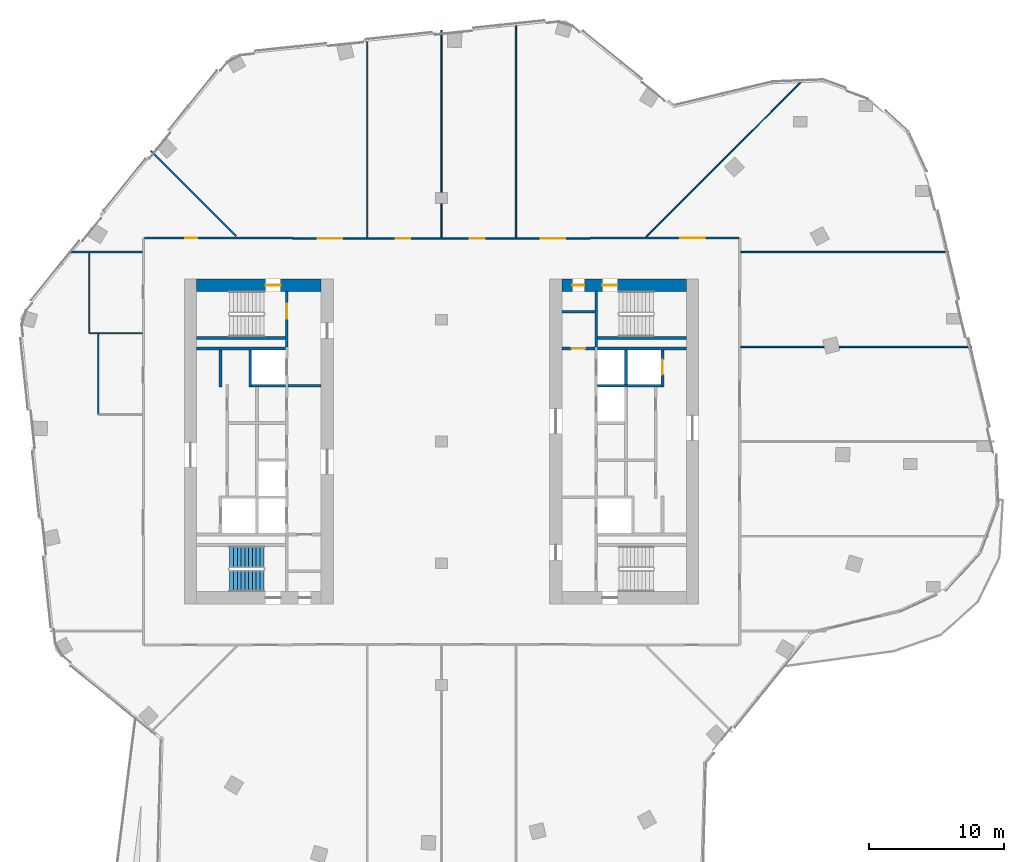
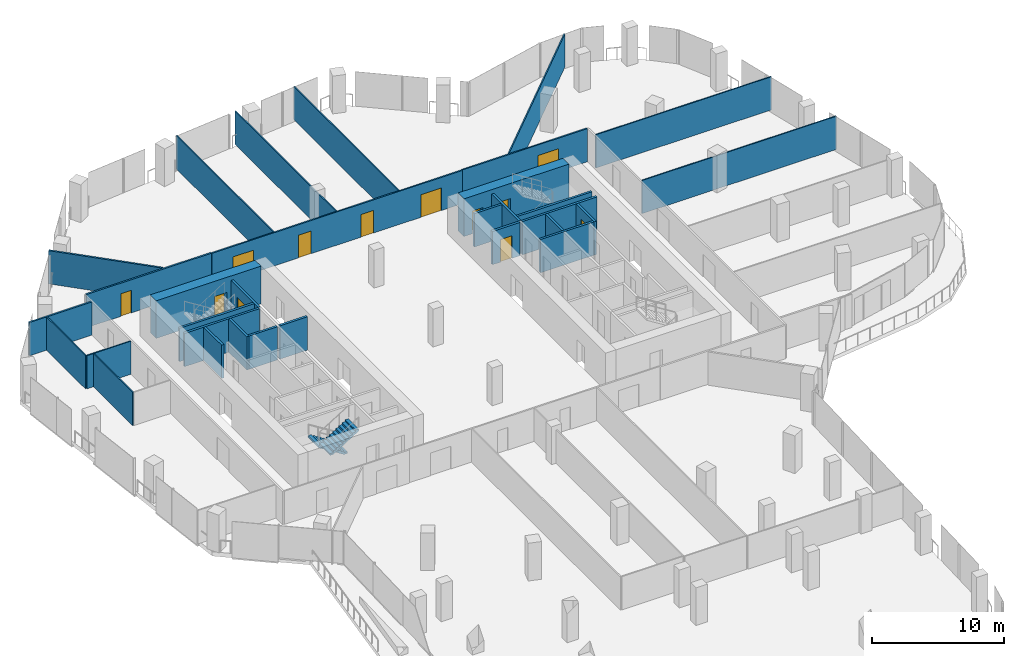
# One storey, part 19 of 24: 31 walls, 12 doors, 2 stair flights, 12 openings, 1 element without a shape of its own.
"""IFC4 building model written with IfcOpenShell, lengths in metres."""

from ifc_helpers import new_model, si_unit, direction, frame, frame_2d, origin, place, context, subcontext, project, spatial, polyline, rectangle, outline, extrude, material, layer, layer_set, type_object, element, fill, aggregate, save


model = new_model("IFC4")

# Units and contexts
model_context = context("Model", 3, precision=1e-05, world=origin(), true_north=direction((0.0, 1.0)))
body_context = subcontext(model_context, "Body", "Model", "MODEL_VIEW")
ifc_project = project(units=[si_unit("LENGTHUNIT", "METRE"), si_unit("AREAUNIT", "SQUARE_METRE"), si_unit("VOLUMEUNIT", "CUBIC_METRE"), si_unit("PLANEANGLEUNIT", "RADIAN"), si_unit("MASSUNIT", "GRAM", prefix="KILO")], contexts=[model_context])

# Site, building, storey
site_placement = place(None, origin())
site = spatial("IfcSite", under=ifc_project, at=site_placement, CompositionType="ELEMENT")
building_placement = place(site_placement, origin())
building = spatial("IfcBuilding", under=site, at=building_placement, Name="Orlundy Tower", CompositionType="ELEMENT")
storey_placement = place(building_placement, frame((0.0, 0.0, 210.5)))
storey = spatial("IfcBuildingStorey", under=building, at=storey_placement, Name="L55", CompositionType="ELEMENT", Elevation=210.5)

# Wall, opening, door
ifc_material_1 = material(Name="Concrete C60/75", Category="concrete")
ifc_layer_1 = layer(ifc_material_1, 0.89990234375)
ifc_layer_set_1 = layer_set([ifc_layer_1], Name="CORE WALL 900 C60/75")
wall_type_1 = type_object("IfcWallType", Name="CORE WALL 900 C60/75", PredefinedType="SHEAR", material=ifc_layer_set_1)
wall_1_placement = place(storey_placement, frame((-18.10009765625, 11.550048828125, 0.0), z_axis=(0.0, 0.0, 1.0), x_axis=(1.0, 0.0, 0.0)))
wall_1 = element("IfcWall", 1, at=wall_1_placement, inside=storey, type_object=wall_type_1, Name="Core wall W-N L55", PredefinedType="SHEAR", context=body_context, shape_type="SweptSolid", body=[
    extrude(rectangle(XDim=9.2001953125, YDim=0.89990234375, at=frame_2d((4.60009765625, 0.0))), origin(), (0.0, 0.0, 1.0), 3.5),
])
opening_1_placement = place(wall_1_placement, frame((5.10009765625, 0.0, 0.0)))
opening_1 = element("IfcOpeningElement", 2, at=opening_1_placement, cuts=wall_1, Name="Opening 42012", PredefinedType="OPENING", context=body_context, shape_type="SweptSolid", body=[
    extrude(rectangle(XDim=1.10009765625, YDim=2.10009765625, at=frame_2d((0.550048828125, 1.050048828125))), frame((0.0, 0.4599609375, 0.0), z_axis=(0.0, -1.0, 0.0), x_axis=(1.0, 0.0, 0.0)), (0.0, 0.0, 1.0), 0.919921875),
])
ifc_material_2 = material(Name="Steel door set", Category="steel")
door_type_1 = type_object("IfcDoorType", Name="Stair Door 1100x2100", OperationType="SINGLE_SWING_LEFT", PredefinedType="DOOR", material=ifc_material_2)
door_1_placement = place(opening_1_placement, origin())
door_1 = element("IfcDoor", 3, at=door_1_placement, inside=storey, type_object=door_type_1, Name="Stair door 42012", OperationType="SINGLE_SWING_RIGHT", OverallHeight=2.10009765625, OverallWidth=1.10009765625, PredefinedType="DOOR", context=body_context, shape_type="SweptSolid", body=[
    extrude(rectangle(XDim=1.10009765625, YDim=2.10009765625, at=frame_2d((0.550048828125, 1.050048828125))), frame((0.0, 0.02490234375, 0.0), z_axis=(0.0, -1.0, 0.0), x_axis=(1.0, 0.0, 0.0)), (0.0, 0.0, 1.0), 0.050048828125),
])
fill(opening_1, door_1)

# Wall, openings, doors
wall_2_placement = place(storey_placement, frame((8.89990234375, 11.550048828125, 0.0), z_axis=(0.0, 0.0, 1.0), x_axis=(1.0, 0.0, 0.0)))
wall_2 = element("IfcWall", 4, at=wall_2_placement, inside=storey, type_object=wall_type_1, Name="Core wall E-N L55", PredefinedType="SHEAR", context=body_context, shape_type="SweptSolid", body=[
    extrude(rectangle(XDim=9.2001953125, YDim=0.89990234375, at=frame_2d((4.60009765625, 0.0))), origin(), (0.0, 0.0, 1.0), 3.5),
])
opening_2_placement = place(wall_2_placement, frame((3.0, 0.0, 0.0)))
opening_2 = element("IfcOpeningElement", 5, at=opening_2_placement, cuts=wall_2, Name="Opening 42062", PredefinedType="OPENING", context=body_context, shape_type="SweptSolid", body=[
    extrude(rectangle(XDim=1.10009765625, YDim=2.10009765625, at=frame_2d((0.550048828125, 1.050048828125))), frame((0.0, 0.4599609375, 0.0), z_axis=(0.0, -1.0, 0.0), x_axis=(1.0, 0.0, 0.0)), (0.0, 0.0, 1.0), 0.919921875),
])
opening_3_placement = place(wall_2_placement, frame((0.77001953125, 0.0, 0.0)))
opening_3 = element("IfcOpeningElement", 6, at=opening_3_placement, cuts=wall_2, Name="Opening 42064", PredefinedType="OPENING", context=body_context, shape_type="SweptSolid", body=[
    extrude(rectangle(XDim=0.89990234375, YDim=2.10009765625, at=frame_2d((0.449951171875, 1.050048828125))), frame((0.0, 0.4599609375, 0.0), z_axis=(0.0, -1.0, 0.0), x_axis=(1.0, 0.0, 0.0)), (0.0, 0.0, 1.0), 0.919921875),
])
ifc_material_3 = material(Name="Timber door set", Category="wood")
door_type_2 = type_object("IfcDoorType", Name="Room Door 900x2100", OperationType="SINGLE_SWING_LEFT", PredefinedType="DOOR", material=ifc_material_3)
door_2_placement = place(opening_3_placement, origin())
door_2 = element("IfcDoor", 7, at=door_2_placement, inside=storey, type_object=door_type_2, Name="Store door 42064", OperationType="SINGLE_SWING_LEFT", OverallHeight=2.10009765625, OverallWidth=0.89990234375, PredefinedType="DOOR", context=body_context, shape_type="SweptSolid", body=[
    extrude(rectangle(XDim=0.89990234375, YDim=2.10009765625, at=frame_2d((0.449951171875, 1.050048828125))), frame((0.0, 0.02490234375, 0.0), z_axis=(0.0, -1.0, 0.0), x_axis=(1.0, 0.0, 0.0)), (0.0, 0.0, 1.0), 0.050048828125),
])
fill(opening_3, door_2)
door_3_placement = place(opening_2_placement, origin())
door_3 = element("IfcDoor", 8, at=door_3_placement, inside=storey, type_object=door_type_1, Name="Stair door 42062", OperationType="SINGLE_SWING_LEFT", OverallHeight=2.10009765625, OverallWidth=1.10009765625, PredefinedType="DOOR", context=body_context, shape_type="SweptSolid", body=[
    extrude(rectangle(XDim=1.10009765625, YDim=2.10009765625, at=frame_2d((0.550048828125, 1.050048828125))), frame((0.0, 0.02490234375, 0.0), z_axis=(0.0, -1.0, 0.0), x_axis=(1.0, 0.0, 0.0)), (0.0, 0.0, 1.0), 0.050048828125),
])
fill(opening_2, door_3)

# Walls
ifc_material_4 = material(Name="Gypsum board partition")
ifc_layer_2 = layer(ifc_material_4, 0.10009765625)
ifc_layer_set_2 = layer_set([ifc_layer_2], Name="Floor partition 100")
wall_type_2 = type_object("IfcWallType", Name="Floor partition 100", PredefinedType="PARTITIONING", material=ifc_layer_set_2)
wall_3_placement = place(storey_placement, frame((22.1259765625, 7.0, 0.0), z_axis=(0.0, 0.0, 1.0), x_axis=(1.0, 0.0, 0.0)))
element("IfcWall", 9, at=wall_3_placement, inside=storey, type_object=wall_type_2, Name="wall-int-L55-014", PredefinedType="PARTITIONING", context=body_context, shape_type="SweptSolid", body=[
    extrude(rectangle(XDim=17.072998046875, YDim=0.10009765625, at=frame_2d((8.53662109375, 0.0))), origin(), (0.0, 0.0, 1.0), 3.080078125),
])
wall_4_placement = place(storey_placement, frame((-25.998046875, 8.0, 0.0), z_axis=(0.0, 0.0, 1.0), x_axis=(1.0, 0.0, 0.0)))
element("IfcWall", 10, at=wall_4_placement, inside=storey, type_object=wall_type_2, Name="wall-int-L55-015", PredefinedType="PARTITIONING", context=body_context, shape_type="SweptSolid", body=[
    extrude(rectangle(XDim=3.873046875, YDim=0.10009765625, at=frame_2d((1.9365234375, 0.0))), origin(), (0.0, 0.0, 1.0), 3.080078125),
])
wall_5_placement = place(storey_placement, frame((22.1259765625, 14.0, 0.0), z_axis=(0.0, 0.0, 1.0), x_axis=(1.0, 0.0, 0.0)))
element("IfcWall", 11, at=wall_5_placement, inside=storey, type_object=wall_type_2, Name="wall-int-L55-017", PredefinedType="PARTITIONING", context=body_context, shape_type="SweptSolid", body=[
    extrude(rectangle(XDim=15.39208984375, YDim=0.10009765625, at=frame_2d((7.696044921875, 0.0))), origin(), (0.0, 0.0, 1.0), 3.080078125),
])
wall_6_placement = place(storey_placement, frame((15.14892578125, 15.14892578125, 0.0), z_axis=(0.0, 0.0, 1.0), x_axis=(0.707106781187, 0.707106781187, 0.0)))
element("IfcWall", 12, at=wall_6_placement, inside=storey, type_object=wall_type_2, Name="wall-int-L55-022", PredefinedType="PARTITIONING", context=body_context, shape_type="SweptSolid", body=[
    extrude(rectangle(XDim=16.46435546875, YDim=0.10009765625, at=frame_2d((8.232177734375, 0.0))), origin(), (0.0, 0.0, 1.0), 3.080078125),
])
wall_7_placement = place(storey_placement, frame((5.4951171875, 15.06298828125, 0.0), z_axis=(0.0, 0.0, 1.0), x_axis=(0.0, 1.0, 0.0)))
element("IfcWall", 13, at=wall_7_placement, inside=storey, type_object=wall_type_2, Name="wall-int-L55-025", PredefinedType="PARTITIONING", context=body_context, shape_type="SweptSolid", body=[
    extrude(rectangle(XDim=15.930908203125, YDim=0.10009765625, at=frame_2d((7.96533203125, 0.0))), origin(), (0.0, 0.0, 1.0), 3.080078125),
])
wall_8_placement = place(storey_placement, frame((0.0, 15.06298828125, 0.0), z_axis=(0.0, 0.0, 1.0), x_axis=(0.0, 1.0, 0.0)))
element("IfcWall", 14, at=wall_8_placement, inside=storey, type_object=wall_type_2, Name="wall-int-L55-027", PredefinedType="PARTITIONING", context=body_context, shape_type="SweptSolid", body=[
    extrude(rectangle(XDim=15.35400390625, YDim=0.10009765625, at=frame_2d((7.677001953125, 0.0))), origin(), (0.0, 0.0, 1.0), 3.080078125),
])
wall_9_placement = place(storey_placement, frame((-5.4951171875, 15.06298828125, 0.0), z_axis=(0.0, 0.0, 1.0), x_axis=(0.0, 1.0, 0.0)))
element("IfcWall", 15, at=wall_9_placement, inside=storey, type_object=wall_type_2, Name="wall-int-L55-029", PredefinedType="PARTITIONING", context=body_context, shape_type="SweptSolid", body=[
    extrude(rectangle(XDim=14.776123046875, YDim=0.10009765625, at=frame_2d((7.38818359375, 0.0))), origin(), (0.0, 0.0, 1.0), 3.080078125),
])
wall_10_placement = place(storey_placement, frame((-25.382080078125, 2.0009765625, 0.0), z_axis=(0.0, 0.0, 1.0), x_axis=(0.0, 1.0, 0.0)))
element("IfcWall", 16, at=wall_10_placement, inside=storey, type_object=wall_type_2, Name="wall-int-L55-031", PredefinedType="PARTITIONING", context=body_context, shape_type="SweptSolid", body=[
    extrude(rectangle(XDim=5.948974609375, YDim=0.10009765625, at=frame_2d((2.974609375, 0.0))), origin(), (0.0, 0.0, 1.0), 3.080078125),
])
wall_11_placement = place(storey_placement, frame((-26.048095703125, 8.0, 0.0), z_axis=(0.0, 0.0, 1.0), x_axis=(0.0, 1.0, 0.0)))
element("IfcWall", 17, at=wall_11_placement, inside=storey, type_object=wall_type_2, Name="wall-int-L55-032", PredefinedType="PARTITIONING", context=body_context, shape_type="SweptSolid", body=[
    extrude(rectangle(XDim=5.925048828125, YDim=0.10009765625, at=frame_2d((2.96240234375, 0.0))), origin(), (0.0, 0.0, 1.0), 3.080078125),
])

# Wall, openings, doors
ifc_material_5 = material(Name="Gypsum board partition, double layer")
ifc_layer_3 = layer(ifc_material_5, 0.125)
ifc_layer_set_3 = layer_set([ifc_layer_3], Name="Floor partition 125")
wall_type_3 = type_object("IfcWallType", Name="Floor partition 125", PredefinedType="PARTITIONING", material=ifc_layer_set_3)
wall_12_placement = place(storey_placement, frame((-10.989990234375, 15.0009765625, 0.0), z_axis=(0.0, 0.0, 1.0), x_axis=(1.0, 0.0, 0.0)))
wall_12 = element("IfcWall", 18, at=wall_12_placement, inside=storey, type_object=wall_type_3, Name="wall-int-L55-018", PredefinedType="PARTITIONING", context=body_context, shape_type="SweptSolid", body=[
    extrude(rectangle(XDim=21.97998046875, YDim=0.125, at=frame_2d((10.989990234375, 0.0))), origin(), (0.0, 0.0, 1.0), 3.080078125),
])
opening_4_placement = place(wall_12_placement, frame((18.3349609375, 0.0, 0.0)))
opening_4 = element("IfcOpeningElement", 19, at=opening_4_placement, cuts=wall_12, Name="Opening 42113", PredefinedType="OPENING", context=body_context, shape_type="SweptSolid", body=[
    extrude(rectangle(XDim=1.800048828125, YDim=2.10009765625, at=frame_2d((0.89990234375, 1.050048828125))), frame((0.0, 0.072509765625, 0.0), z_axis=(0.0, -1.0, 0.0), x_axis=(1.0, 0.0, 0.0)), (0.0, 0.0, 1.0), 0.14501953125),
])
opening_5_placement = place(wall_12_placement, frame((13.090087890625, 0.0, 0.0)))
opening_5 = element("IfcOpeningElement", 20, at=opening_5_placement, cuts=wall_12, Name="Opening 42114", PredefinedType="OPENING", context=body_context, shape_type="SweptSolid", body=[
    extrude(rectangle(XDim=1.10009765625, YDim=2.10009765625, at=frame_2d((0.550048828125, 1.050048828125))), frame((0.0, 0.072509765625, 0.0), z_axis=(0.0, -1.0, 0.0), x_axis=(1.0, 0.0, 0.0)), (0.0, 0.0, 1.0), 0.14501953125),
])
opening_6_placement = place(wall_12_placement, frame((7.594970703125, 0.0, 0.0)))
opening_6 = element("IfcOpeningElement", 21, at=opening_6_placement, cuts=wall_12, Name="Opening 42115", PredefinedType="OPENING", context=body_context, shape_type="SweptSolid", body=[
    extrude(rectangle(XDim=1.10009765625, YDim=2.10009765625, at=frame_2d((0.550048828125, 1.050048828125))), frame((0.0, 0.072509765625, 0.0), z_axis=(0.0, -1.0, 0.0), x_axis=(1.0, 0.0, 0.0)), (0.0, 0.0, 1.0), 0.14501953125),
])
opening_7_placement = place(wall_12_placement, frame((1.85009765625, 0.0, 0.0)))
opening_7 = element("IfcOpeningElement", 22, at=opening_7_placement, cuts=wall_12, Name="Opening 42116", PredefinedType="OPENING", context=body_context, shape_type="SweptSolid", body=[
    extrude(rectangle(XDim=1.800048828125, YDim=2.10009765625, at=frame_2d((0.89990234375, 1.050048828125))), frame((0.0, 0.072509765625, 0.0), z_axis=(0.0, -1.0, 0.0), x_axis=(1.0, 0.0, 0.0)), (0.0, 0.0, 1.0), 0.14501953125),
])
ifc_material_6 = material(Name="Timber door leaf", Category="wood")
door_type_3 = type_object("IfcDoorType", Name="Floor door double 1800 FD30S", OperationType="NOTDEFINED", PredefinedType="DOOR", material=ifc_material_6)
door_4_placement = place(opening_4_placement, origin())
door_4 = element("IfcDoor", 23, at=door_4_placement, inside=storey, type_object=door_type_3, Name="Door 42113", OperationType="DOUBLE_DOOR_SINGLE_SWING", OverallHeight=2.10009765625, OverallWidth=1.800048828125, PredefinedType="DOOR", context=body_context, shape_type="SweptSolid", body=[
    extrude(rectangle(XDim=1.800048828125, YDim=2.10009765625, at=frame_2d((0.89990234375, 1.050048828125))), frame((0.0, 0.02490234375, 0.0), z_axis=(0.0, -1.0, 0.0), x_axis=(1.0, 0.0, 0.0)), (0.0, 0.0, 1.0), 0.050048828125),
])
fill(opening_4, door_4)
door_5_placement = place(opening_7_placement, origin())
door_5 = element("IfcDoor", 24, at=door_5_placement, inside=storey, type_object=door_type_3, Name="Door 42116", OperationType="DOUBLE_DOOR_SINGLE_SWING", OverallHeight=2.10009765625, OverallWidth=1.800048828125, PredefinedType="DOOR", context=body_context, shape_type="SweptSolid", body=[
    extrude(rectangle(XDim=1.800048828125, YDim=2.10009765625, at=frame_2d((0.89990234375, 1.050048828125))), frame((0.0, 0.02490234375, 0.0), z_axis=(0.0, -1.0, 0.0), x_axis=(1.0, 0.0, 0.0)), (0.0, 0.0, 1.0), 0.050048828125),
])
fill(opening_7, door_5)
ifc_material_7 = material(Name="Timber door leaf", Category="wood")
door_type_4 = type_object("IfcDoorType", Name="Floor door xwide 1100 FD30S", OperationType="NOTDEFINED", PredefinedType="DOOR", material=ifc_material_7)
door_6_placement = place(opening_5_placement, origin())
door_6 = element("IfcDoor", 25, at=door_6_placement, inside=storey, type_object=door_type_4, Name="Door 42114", OperationType="SINGLE_SWING_RIGHT", OverallHeight=2.10009765625, OverallWidth=1.10009765625, PredefinedType="DOOR", context=body_context, shape_type="SweptSolid", body=[
    extrude(rectangle(XDim=1.10009765625, YDim=2.10009765625, at=frame_2d((0.550048828125, 1.050048828125))), frame((0.0, 0.02490234375, 0.0), z_axis=(0.0, -1.0, 0.0), x_axis=(1.0, 0.0, 0.0)), (0.0, 0.0, 1.0), 0.050048828125),
])
fill(opening_5, door_6)
door_7_placement = place(opening_6_placement, origin())
door_7 = element("IfcDoor", 26, at=door_7_placement, inside=storey, type_object=door_type_4, Name="Door 42115", OperationType="SINGLE_SWING_LEFT", OverallHeight=2.10009765625, OverallWidth=1.10009765625, PredefinedType="DOOR", context=body_context, shape_type="SweptSolid", body=[
    extrude(rectangle(XDim=1.10009765625, YDim=2.10009765625, at=frame_2d((0.550048828125, 1.050048828125))), frame((0.0, 0.02490234375, 0.0), z_axis=(0.0, -1.0, 0.0), x_axis=(1.0, 0.0, 0.0)), (0.0, 0.0, 1.0), 0.050048828125),
])
fill(opening_6, door_7)

# Wall, opening, door
wall_13_placement = place(storey_placement, frame((10.990966796875, 15.051025390625, 0.0), z_axis=(0.0, 0.0, 1.0), x_axis=(1.0, 0.0, 0.0)))
wall_13 = element("IfcWall", 27, at=wall_13_placement, inside=storey, type_object=wall_type_3, Name="wall-int-L55-020", PredefinedType="PARTITIONING", context=body_context, shape_type="SweptSolid", body=[
    extrude(rectangle(XDim=10.984130859375, YDim=0.125, at=frame_2d((5.4921875, 0.0))), origin(), (0.0, 0.0, 1.0), 3.080078125),
])
opening_8_placement = place(wall_13_placement, frame((6.659912109375, 0.0, 0.0)))
opening_8 = element("IfcOpeningElement", 28, at=opening_8_placement, cuts=wall_13, Name="Opening 42112", PredefinedType="OPENING", context=body_context, shape_type="SweptSolid", body=[
    extrude(rectangle(XDim=1.800048828125, YDim=2.10009765625, at=frame_2d((0.89990234375, 1.050048828125))), frame((0.0, 0.072509765625, 0.0), z_axis=(0.0, -1.0, 0.0), x_axis=(1.0, 0.0, 0.0)), (0.0, 0.0, 1.0), 0.14501953125),
])
door_8_placement = place(opening_8_placement, origin())
door_8 = element("IfcDoor", 29, at=door_8_placement, inside=storey, type_object=door_type_3, Name="Door 42112", OperationType="DOUBLE_DOOR_SINGLE_SWING", OverallHeight=2.10009765625, OverallWidth=1.800048828125, PredefinedType="DOOR", context=body_context, shape_type="SweptSolid", body=[
    extrude(rectangle(XDim=1.800048828125, YDim=2.10009765625, at=frame_2d((0.89990234375, 1.050048828125))), frame((0.0, 0.02490234375, 0.0), z_axis=(0.0, -1.0, 0.0), x_axis=(1.0, 0.0, 0.0)), (0.0, 0.0, 1.0), 0.050048828125),
])
fill(opening_8, door_8)

# Walls
ifc_material_8 = material(Name="Blockwork shaft wall", Category="masonry")
ifc_layer_4 = layer(ifc_material_8, 0.14990234375)
ifc_layer_set_4 = layer_set([ifc_layer_4], Name="Floor shaft wall 150")
wall_type_4 = type_object("IfcWallType", Name="Floor shaft wall 150", PredefinedType="PARTITIONING", material=ifc_layer_set_4)
wall_14_placement = place(storey_placement, frame((-21.508056640625, 21.508056640625, 0.0), z_axis=(0.0, 0.0, 1.0), x_axis=(0.707106781187, -0.707106781187, 0.0)))
element("IfcWall", 30, at=wall_14_placement, inside=storey, type_object=wall_type_4, Name="wall-int-L55-001", PredefinedType="PARTITIONING", context=body_context, shape_type="SweptSolid", body=[
    extrude(rectangle(XDim=8.95068359375, YDim=0.14990234375, at=frame_2d((4.475341796875, 0.0))), origin(), (0.0, 0.0, 1.0), 3.080078125),
])
wall_15_placement = place(storey_placement, frame((-27.5869140625, 14.0, 0.0), z_axis=(0.0, 0.0, 1.0), x_axis=(1.0, 0.0, 0.0)))
element("IfcWall", 31, at=wall_15_placement, inside=storey, type_object=wall_type_4, Name="wall-int-L55-016", PredefinedType="PARTITIONING", context=body_context, shape_type="SweptSolid", body=[
    extrude(rectangle(XDim=5.4619140625, YDim=0.14990234375, at=frame_2d((2.73095703125, 0.0))), origin(), (0.0, 0.0, 1.0), 3.080078125),
])

# Wall, opening, door
wall_16_placement = place(storey_placement, frame((-21.97509765625, 15.051025390625, 0.0), z_axis=(0.0, 0.0, 1.0), x_axis=(1.0, 0.0, 0.0)))
wall_16 = element("IfcWall", 32, at=wall_16_placement, inside=storey, type_object=wall_type_4, Name="wall-int-L55-019", PredefinedType="PARTITIONING", context=body_context, shape_type="SweptSolid", body=[
    extrude(rectangle(XDim=10.984130859375, YDim=0.14990234375, at=frame_2d((5.4921875, 0.0))), origin(), (0.0, 0.0, 1.0), 3.080078125),
])
opening_9_placement = place(wall_16_placement, frame((3.02490234375, 0.0, 0.0)))
opening_9 = element("IfcOpeningElement", 33, at=opening_9_placement, cuts=wall_16, Name="Opening 42100", PredefinedType="OPENING", context=body_context, shape_type="SweptSolid", body=[
    extrude(rectangle(XDim=0.89990234375, YDim=2.10009765625, at=frame_2d((0.449951171875, 1.050048828125))), frame((0.0, 0.0849609375, 0.0), z_axis=(0.0, -1.0, 0.0), x_axis=(1.0, 0.0, 0.0)), (0.0, 0.0, 1.0), 0.169921875),
])
ifc_material_9 = material(Name="Timber door leaf", Category="wood")
door_type_5 = type_object("IfcDoorType", Name="Floor door single 900 FD60", OperationType="NOTDEFINED", PredefinedType="DOOR", material=ifc_material_9)
door_9_placement = place(opening_9_placement, origin())
door_9 = element("IfcDoor", 34, at=door_9_placement, inside=storey, type_object=door_type_5, Name="Door 42100", OperationType="SINGLE_SWING_LEFT", OverallHeight=2.10009765625, OverallWidth=0.89990234375, PredefinedType="DOOR", context=body_context, shape_type="SweptSolid", body=[
    extrude(rectangle(XDim=0.89990234375, YDim=2.10009765625, at=frame_2d((0.449951171875, 1.050048828125))), frame((0.0, 0.02490234375, 0.0), z_axis=(0.0, -1.0, 0.0), x_axis=(1.0, 0.0, 0.0)), (0.0, 0.0, 1.0), 0.050048828125),
])
fill(opening_9, door_9)

ifc_material_10 = material(Name="Concrete C40/50", Category="concrete")
ifc_layer_5 = layer(ifc_material_10, 0.199951171875)
ifc_layer_set_5 = layer_set([ifc_layer_5], Name="Load-bearing Shaft Wall 200")
wall_type_5 = type_object("IfcWallType", Name="Load-bearing Shaft Wall 200", PredefinedType="SOLIDWALL", material=ifc_layer_set_5)
wall_17_placement = place(storey_placement, frame((-11.43994140625, 6.97509765625, 0.0), z_axis=(0.0, 0.0, 1.0), x_axis=(0.0, 1.0, 0.0)))
wall_17 = element("IfcWall", 35, at=wall_17_placement, inside=storey, type_object=wall_type_5, Name="Shaft wall W42-stair-end-n", PredefinedType="SOLIDWALL", context=body_context, shape_type="SweptSolid", body=[
    extrude(rectangle(XDim=4.125, YDim=0.199951171875, at=frame_2d((2.0625, 0.0))), origin(), (0.0, 0.0, 1.0), 3.090087890625),
])
opening_10_placement = place(wall_17_placement, frame((2.10009765625, 0.0, 0.0)))
opening_10 = element("IfcOpeningElement", 36, at=opening_10_placement, cuts=wall_17, Name="Opening 42014", PredefinedType="OPENING", context=body_context, shape_type="SweptSolid", body=[
    extrude(rectangle(XDim=1.10009765625, YDim=2.10009765625, at=frame_2d((0.550048828125, 1.050048828125))), frame((0.0, 0.110107421875, 0.0), z_axis=(0.0, -1.0, 0.0), x_axis=(1.0, 0.0, 0.0)), (0.0, 0.0, 1.0), 0.22021484375),
])
ifc_material_11 = material(Name="Steel door set", Category="steel")
door_type_6 = type_object("IfcDoorType", Name="Fire-fighting Lobby Door 1100x2100", OperationType="SINGLE_SWING_LEFT", PredefinedType="DOOR", material=ifc_material_11)
door_10_placement = place(opening_10_placement, origin())
door_10 = element("IfcDoor", 37, at=door_10_placement, inside=storey, type_object=door_type_6, Name="Fire-fighting lobby to stair door 42014", OperationType="SINGLE_SWING_RIGHT", OverallHeight=2.10009765625, OverallWidth=1.10009765625, PredefinedType="DOOR", context=body_context, shape_type="SweptSolid", body=[
    extrude(rectangle(XDim=1.10009765625, YDim=2.10009765625, at=frame_2d((0.550048828125, 1.050048828125))), frame((0.0, 0.02490234375, 0.0), z_axis=(0.0, -1.0, 0.0), x_axis=(1.0, 0.0, 0.0)), (0.0, 0.0, 1.0), 0.050048828125),
])
fill(opening_10, door_10)

# Walls
wall_18_placement = place(storey_placement, frame((-11.5400390625, 7.64990234375, 0.0), z_axis=(0.0, 0.0, 1.0), x_axis=(-1.0, 0.0, 0.0)))
element("IfcWall", 38, at=wall_18_placement, inside=storey, type_object=wall_type_5, Name="Shaft wall W42-stair-side-n", PredefinedType="SOLIDWALL", context=body_context, shape_type="SweptSolid", body=[
    extrude(rectangle(XDim=6.56005859375, YDim=0.199951171875, at=frame_2d((3.280029296875, 0.0))), origin(), (0.0, 0.0, 1.0), 3.090087890625),
])
wall_19_placement = place(storey_placement, frame((11.43994140625, 11.10009765625, 0.0), z_axis=(0.0, 0.0, 1.0), x_axis=(0.0, -1.0, 0.0)))
element("IfcWall", 39, at=wall_19_placement, inside=storey, type_object=wall_type_5, Name="Shaft wall E42-stair-end-s", PredefinedType="SOLIDWALL", context=body_context, shape_type="SweptSolid", body=[
    extrude(rectangle(XDim=4.125, YDim=0.199951171875, at=frame_2d((2.0625, 0.0))), origin(), (0.0, 0.0, 1.0), 3.090087890625),
])
wall_20_placement = place(storey_placement, frame((11.5400390625, 7.64990234375, 0.0), z_axis=(0.0, 0.0, 1.0), x_axis=(1.0, 0.0, 0.0)))
element("IfcWall", 40, at=wall_20_placement, inside=storey, type_object=wall_type_5, Name="Shaft wall E42-stair-side-s", PredefinedType="SOLIDWALL", context=body_context, shape_type="SweptSolid", body=[
    extrude(rectangle(XDim=6.56005859375, YDim=0.199951171875, at=frame_2d((3.280029296875, 0.0))), origin(), (0.0, 0.0, 1.0), 3.090087890625),
])
ifc_material_12 = material(Name="Gypsum board partition on steel studs", Category="steel")
ifc_layer_6 = layer(ifc_material_12, 0.199951171875)
ifc_layer_set_6 = layer_set([ifc_layer_6], Name="Partition 200")
wall_type_6 = type_object("IfcWallType", Name="Partition 200", PredefinedType="PARTITIONING", material=ifc_layer_set_6)
wall_21_placement = place(storey_placement, frame((-8.89990234375, 4.125, 0.0), z_axis=(0.0, 0.0, 1.0), x_axis=(-1.0, 0.0, 0.0)))
element("IfcWall", 41, at=wall_21_placement, inside=storey, type_object=wall_type_6, Name="Partition wall W42-lobby-n", PredefinedType="PARTITIONING", context=body_context, shape_type="SweptSolid", body=[
    extrude(rectangle(XDim=2.440185546875, YDim=0.199951171875, at=frame_2d((1.22021484375, 0.0))), origin(), (0.0, 0.0, 1.0), 3.090087890625),
])

# Wall, opening, door
wall_22_placement = place(storey_placement, frame((8.89990234375, 6.875, 0.0), z_axis=(0.0, 0.0, 1.0), x_axis=(1.0, 0.0, 0.0)))
wall_22 = element("IfcWall", 42, at=wall_22_placement, inside=storey, type_object=wall_type_6, Name="Partition wall E42-end-s", PredefinedType="PARTITIONING", context=body_context, shape_type="SweptSolid", body=[
    extrude(rectangle(XDim=2.440185546875, YDim=0.199951171875, at=frame_2d((1.22021484375, 0.0))), origin(), (0.0, 0.0, 1.0), 3.090087890625),
])
opening_11_placement = place(wall_22_placement, frame((0.719970703125, 0.0, 0.0)))
opening_11 = element("IfcOpeningElement", 43, at=opening_11_placement, cuts=wall_22, Name="Opening 42065", PredefinedType="OPENING", context=body_context, shape_type="SweptSolid", body=[
    extrude(rectangle(XDim=1.0, YDim=2.10009765625, at=frame_2d((0.5, 1.050048828125))), frame((0.0, 0.110107421875, 0.0), z_axis=(0.0, -1.0, 0.0), x_axis=(1.0, 0.0, 0.0)), (0.0, 0.0, 1.0), 0.22021484375),
])
ifc_material_13 = material(Name="Timber door set", Category="wood")
door_type_7 = type_object("IfcDoorType", Name="Accessible Door 1000x2100", OperationType="SINGLE_SWING_LEFT", PredefinedType="DOOR", material=ifc_material_13)
door_11_placement = place(opening_11_placement, origin())
door_11 = element("IfcDoor", 44, at=door_11_placement, inside=storey, type_object=door_type_7, Name="Accessible WC door 42065", OperationType="SINGLE_SWING_RIGHT", OverallHeight=2.10009765625, OverallWidth=1.0, PredefinedType="DOOR", context=body_context, shape_type="SweptSolid", body=[
    extrude(rectangle(XDim=1.0, YDim=2.10009765625, at=frame_2d((0.5, 1.050048828125))), frame((0.0, 0.02490234375, 0.0), z_axis=(0.0, -1.0, 0.0), x_axis=(1.0, 0.0, 0.0)), (0.0, 0.0, 1.0), 0.050048828125),
])
fill(opening_11, door_11)

# Walls
wall_23_placement = place(storey_placement, frame((8.89990234375, 9.60009765625, 0.0), z_axis=(0.0, 0.0, 1.0), x_axis=(1.0, 0.0, 0.0)))
element("IfcWall", 45, at=wall_23_placement, inside=storey, type_object=wall_type_6, Name="Partition wall E42-room-s0", PredefinedType="PARTITIONING", context=body_context, shape_type="SweptSolid", body=[
    extrude(rectangle(XDim=2.440185546875, YDim=0.199951171875, at=frame_2d((1.22021484375, 0.0))), origin(), (0.0, 0.0, 1.0), 3.090087890625),
])
ifc_material_14 = material(Name="Fire-rated blockwork shaft wall", Category="masonry")
ifc_layer_7 = layer(ifc_material_14, 0.199951171875)
ifc_layer_set_7 = layer_set([ifc_layer_7], Name="Shaft Wall 200")
wall_type_7 = type_object("IfcWallType", Name="Shaft Wall 200", PredefinedType="SOLIDWALL", material=ifc_layer_set_7)
wall_24_placement = place(storey_placement, frame((-11.5400390625, 6.875, 0.0), z_axis=(0.0, 0.0, 1.0), x_axis=(-1.0, 0.0, 0.0)))
element("IfcWall", 46, at=wall_24_placement, inside=storey, type_object=wall_type_7, Name="Shaft wall W42-zone-n", PredefinedType="SOLIDWALL", context=body_context, shape_type="SweptSolid", body=[
    extrude(rectangle(XDim=6.56005859375, YDim=0.199951171875, at=frame_2d((3.280029296875, 0.0))), origin(), (0.0, 0.0, 1.0), 3.090087890625),
])
wall_25_placement = place(storey_placement, frame((-11.5400390625, 4.125, 0.0), z_axis=(0.0, 0.0, 1.0), x_axis=(-1.0, 0.0, 0.0)))
element("IfcWall", 47, at=wall_25_placement, inside=storey, type_object=wall_type_7, Name="Shaft wall W42-cross+4.125", PredefinedType="SOLIDWALL", context=body_context, shape_type="SweptSolid", body=[
    extrude(rectangle(XDim=2.5, YDim=0.199951171875, at=frame_2d((1.25, 0.0))), origin(), (0.0, 0.0, 1.0), 3.090087890625),
])
for number, where, z_axis, x_axis, name in (
    (48, (-14.139892578125, 4.02490234375, 0.0), (0.0, 0.0, 1.0), (0.0, 1.0, 0.0), "Shaft wall W42-mid-b"),
    (49, (-16.340087890625, 4.02490234375, 0.0), (0.0, 0.0, 1.0), (0.0, 1.0, 0.0), "Shaft wall W42-front-o-c"),
):
    element("IfcWall", number, at=place(storey_placement, frame(where, z_axis=z_axis, x_axis=x_axis)), inside=storey, type_object=wall_type_7, Name=name, PredefinedType="SOLIDWALL", context=body_context, shape_type="SweptSolid", body=[
        extrude(rectangle(XDim=2.75, YDim=0.199951171875, at=frame_2d((1.375, 0.0))), origin(), (0.0, 0.0, 1.0), 3.090087890625),
    ])
wall_26_placement = place(storey_placement, frame((11.5400390625, 6.875, 0.0), z_axis=(0.0, 0.0, 1.0), x_axis=(1.0, 0.0, 0.0)))
element("IfcWall", 50, at=wall_26_placement, inside=storey, type_object=wall_type_7, Name="Shaft wall E42-zone-s", PredefinedType="SOLIDWALL", context=body_context, shape_type="SweptSolid", body=[
    extrude(rectangle(XDim=6.56005859375, YDim=0.199951171875, at=frame_2d((3.280029296875, 0.0))), origin(), (0.0, 0.0, 1.0), 3.090087890625),
])
wall_27_placement = place(storey_placement, frame((11.5400390625, 4.125, 0.0), z_axis=(0.0, 0.0, 1.0), x_axis=(1.0, 0.0, 0.0)))
element("IfcWall", 51, at=wall_27_placement, inside=storey, type_object=wall_type_7, Name="Shaft wall E42-cross-4.125", PredefinedType="SOLIDWALL", context=body_context, shape_type="SweptSolid", body=[
    extrude(rectangle(XDim=4.699951171875, YDim=0.199951171875, at=frame_2d((2.35009765625, 0.0))), origin(), (0.0, 0.0, 1.0), 3.090087890625),
])
wall_28_placement = place(storey_placement, frame((13.639892578125, 6.77490234375, 0.0), z_axis=(0.0, 0.0, 1.0), x_axis=(0.0, -1.0, 0.0)))
element("IfcWall", 52, at=wall_28_placement, inside=storey, type_object=wall_type_7, Name="Shaft wall E42-mid-a", PredefinedType="SOLIDWALL", context=body_context, shape_type="SweptSolid", body=[
    extrude(rectangle(XDim=2.5498046875, YDim=0.199951171875, at=frame_2d((1.27490234375, 0.0))), origin(), (0.0, 0.0, 1.0), 3.090087890625),
])

# Wall, opening, door
wall_29_placement = place(storey_placement, frame((16.340087890625, 6.77490234375, 0.0), z_axis=(0.0, 0.0, 1.0), x_axis=(0.0, -1.0, 0.0)))
wall_29 = element("IfcWall", 53, at=wall_29_placement, inside=storey, type_object=wall_type_7, Name="Shaft wall E42-front-o-a", PredefinedType="SOLIDWALL", context=body_context, shape_type="SweptSolid", body=[
    extrude(rectangle(XDim=2.75, YDim=0.199951171875, at=frame_2d((1.375, 0.0))), origin(), (0.0, 0.0, 1.0), 3.090087890625),
])
opening_12_placement = place(wall_29_placement, frame((0.72509765625, 0.0, 0.0)))
opening_12 = element("IfcOpeningElement", 54, at=opening_12_placement, cuts=wall_29, Name="Opening 42051", PredefinedType="OPENING", context=body_context, shape_type="SweptSolid", body=[
    extrude(rectangle(XDim=1.10009765625, YDim=2.10009765625, at=frame_2d((0.550048828125, 1.050048828125))), frame((0.0, 0.110107421875, 0.0), z_axis=(0.0, -1.0, 0.0), x_axis=(1.0, 0.0, 0.0)), (0.0, 0.0, 1.0), 0.22021484375),
])
ifc_material_15 = material(Name="Steel door set", Category="steel")
door_type_8 = type_object("IfcDoorType", Name="Landing Door 1100x2100", OperationType="DOUBLE_DOOR_SLIDING", PredefinedType="DOOR", material=ifc_material_15)
door_12_placement = place(opening_12_placement, origin())
door_12 = element("IfcDoor", 55, at=door_12_placement, inside=storey, type_object=door_type_8, Name="Lift landing door LV-02 42051", OperationType="DOUBLE_DOOR_SLIDING", OverallHeight=2.10009765625, OverallWidth=1.10009765625, PredefinedType="DOOR", context=body_context, shape_type="SweptSolid", body=[
    extrude(rectangle(XDim=1.10009765625, YDim=2.10009765625, at=frame_2d((0.550048828125, 1.050048828125))), frame((0.0, 0.02490234375, 0.0), z_axis=(0.0, -1.0, 0.0), x_axis=(1.0, 0.0, 0.0)), (0.0, 0.0, 1.0), 0.050048828125),
])
fill(opening_12, door_12)

# Stair, stair flights
ifc_material_16 = material(Name="Concrete C50/60", Category="concrete")
stair_type = type_object("IfcStairType", Name="Exit Stair 20 risers", PredefinedType="HALF_TURN_STAIR", material=ifc_material_16)
stair_placement = place(storey_placement, origin())
stair = element("IfcStair", 56, at=stair_placement, inside=storey, type_object=stair_type, Name="L55 Exit Stair ST-W2", PredefinedType="HALF_TURN_STAIR")
ifc_material_17 = material(Name="Concrete C50/60", Category="concrete")
stair_flight_type = type_object("IfcStairFlightType", Name="Stair Flight 10 risers", PredefinedType="STRAIGHT", material=ifc_material_17)
stair_flight_1_placement = place(storey_placement, frame((-13.139892578125, -8.550048828125, 0.0), z_axis=(0.0, 0.0, 1.0), x_axis=(-1.0, 0.0, 0.0)))
stair_flight_1 = element("IfcStairFlight", 57, at=stair_flight_1_placement, type_object=stair_flight_type, Name="ST-W2 flight 1", NumberOfRisers=10, NumberOfTreads=9, PredefinedType="STRAIGHT", RiserHeight=0.175, TreadLength=0.28, context=body_context, shape_type="SweptSolid", body=[
    extrude(outline(polyline([(0.0, 0.0), (0.0, 0.175048828125), (0.280029296875, 0.175048828125), (0.280029296875, 0.35009765625), (0.56005859375, 0.35009765625), (0.56005859375, 0.52490234375), (0.840087890625, 0.52490234375), (0.840087890625, 0.699951171875), (1.1201171875, 0.699951171875), (1.1201171875, 0.875), (1.39990234375, 0.875), (1.39990234375, 1.050048828125), (1.679931640625, 1.050048828125), (1.679931640625, 1.22509765625), (1.9599609375, 1.22509765625), (1.9599609375, 1.39990234375), (2.239990234375, 1.39990234375), (2.239990234375, 1.574951171875), (2.52001953125, 1.574951171875), (2.52001953125, 1.75), (2.52001953125, 1.398193359375), (0.28271484375, 0.0), (0.0, 0.0)])), frame((0.0, 0.800048828125, 0.0), z_axis=(0.0, -1.0, 0.0), x_axis=(1.0, 0.0, 0.0)), (0.0, 0.0, 1.0), 1.60009765625),
])
stair_flight_2_placement = place(storey_placement, frame((-15.659912109375, -10.300048828125, 1.75), z_axis=(0.0, 0.0, 1.0), x_axis=(1.0, 0.0, 0.0)))
stair_flight_2 = element("IfcStairFlight", 58, at=stair_flight_2_placement, type_object=stair_flight_type, Name="ST-W2 flight 2", NumberOfRisers=10, NumberOfTreads=9, PredefinedType="STRAIGHT", RiserHeight=0.175, TreadLength=0.28, context=body_context, shape_type="SweptSolid", body=[
    extrude(outline(polyline([(0.0, 0.0), (0.0, 0.175048828125), (0.280029296875, 0.175048828125), (0.280029296875, 0.35009765625), (0.56005859375, 0.35009765625), (0.56005859375, 0.52490234375), (0.840087890625, 0.52490234375), (0.840087890625, 0.699951171875), (1.1201171875, 0.699951171875), (1.1201171875, 0.875), (1.39990234375, 0.875), (1.39990234375, 1.050048828125), (1.679931640625, 1.050048828125), (1.679931640625, 1.22509765625), (1.9599609375, 1.22509765625), (1.9599609375, 1.39990234375), (2.239990234375, 1.39990234375), (2.239990234375, 1.574951171875), (2.52001953125, 1.574951171875), (2.52001953125, 1.75), (2.52001953125, 1.398193359375), (0.28271484375, 0.0), (0.0, 0.0)])), frame((0.0, 0.800048828125, 0.0), z_axis=(0.0, -1.0, 0.0), x_axis=(1.0, 0.0, 0.0)), (0.0, 0.0, 1.0), 1.60009765625),
])
aggregate(stair, [stair_flight_1, stair_flight_2])

save(model, "model.ifc")
